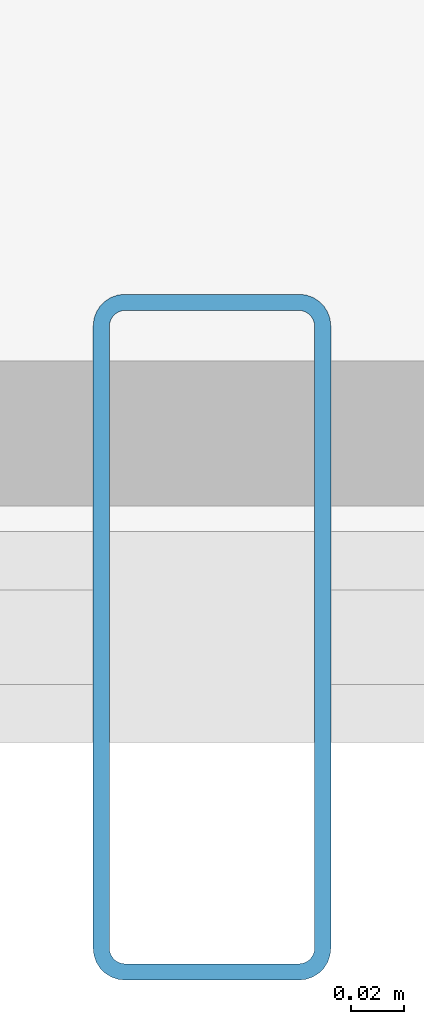
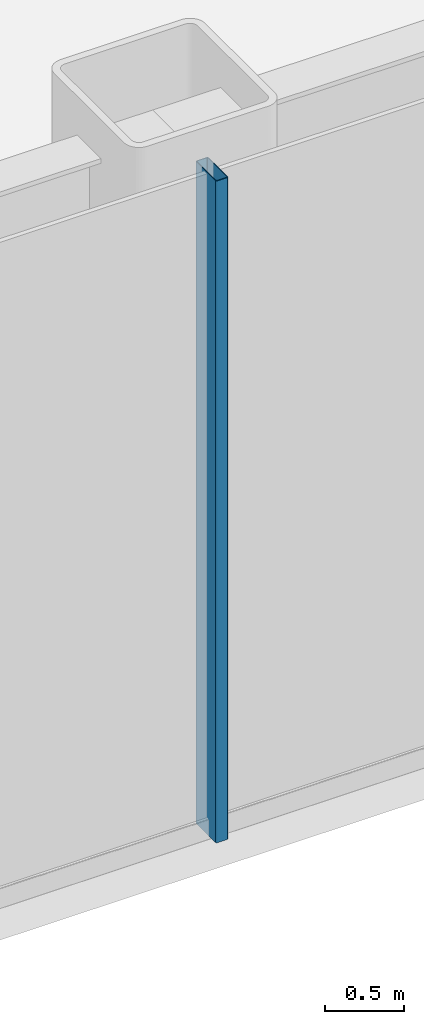
# One storey, part 6 of 24: 1 member, 1 element without a shape of its own.
"""IFC4 building model written with IfcOpenShell, lengths in metres."""

import ifcopenshell
import ifcopenshell.guid

model = None  # the IFC model being written
_history = None  # IfcOwnerHistory: only IFC2X3 demands one
_inside = {}  # id of a spatial element -> (the spatial element, [elements in it])
_under = {}  # id of a project, library or spatial element -> (it, [spatial elements below it])
_declared = {}  # id of a project -> (the project, [libraries it declares])
_typed = {}  # id of a type object -> (the type object, [elements of that type])
_made_of = {}  # id of a material, layer set ... -> (it, [elements and type objects made of it])


def new_model(schema):
    """Start an empty IFC model of exactly this schema.

    Asked for "IFC4X3", IfcOpenShell would pick the latest addendum, in which some entities
    have other attributes; the version numbers below select the first issue.
    IFC2X3 requires an IfcOwnerHistory on every rooted entity: one is made here for all.
    """
    global model, _history
    if schema == "IFC4X3":
        model = ifcopenshell.file(schema_version=(4, 3, 0, 0))
    else:
        model = ifcopenshell.file(schema=schema)
    _inside.clear()
    _under.clear()
    _declared.clear()
    _typed.clear()
    _made_of.clear()
    _history = None
    if model.schema == "IFC2X3":
        org = make("IfcOrganization", Name="unknown")
        user = make(
            "IfcPersonAndOrganization",
            ThePerson=make("IfcPerson", FamilyName="unknown"),
            TheOrganization=org,
        )
        app = make(
            "IfcApplication",
            ApplicationDeveloper=org,
            Version="unknown",
            ApplicationFullName="unknown",
            ApplicationIdentifier="unknown",
        )
        _history = make(
            "IfcOwnerHistory",
            OwningUser=user,
            OwningApplication=app,
            ChangeAction="ADDED",
            CreationDate=0,
        )
    return model


def make(cls, **values):
    """One entity of the class cls with the attributes given. An attribute that is None is left unset."""
    return model.create_entity(
        cls, **{name: value for name, value in values.items() if value is not None}
    )


def rooted(cls, **values):
    """An entity with a GlobalId (a new one), such as an element, a storey or a relation."""
    return make(cls, GlobalId=ifcopenshell.guid.new(), OwnerHistory=_history, **values)


def si_unit(unit_type, name, prefix=None):
    """IfcSIUnit, for example si_unit("LENGTHUNIT", "METRE", prefix="MILLI")."""
    return make("IfcSIUnit", UnitType=unit_type, Prefix=prefix, Name=name)


def assignment(units):
    """IfcUnitAssignment: the units of a project."""
    return None if units is None else make("IfcUnitAssignment", Units=units)


def point(xyz):
    """IfcCartesianPoint."""
    return None if xyz is None else make("IfcCartesianPoint", Coordinates=xyz)


def direction(xyz):
    """IfcDirection."""
    return None if xyz is None else make("IfcDirection", DirectionRatios=xyz)


def frame(location, z_axis=None, x_axis=None):
    """IfcAxis2Placement3D, a coordinate frame: its origin and axes. An axis left out is left unset."""
    return make(
        "IfcAxis2Placement3D",
        Location=point(location),
        Axis=direction(z_axis),
        RefDirection=direction(x_axis),
    )


def frame_2d(location, x_axis=None):
    """IfcAxis2Placement2D, a coordinate frame in the plane: its origin and x axis."""
    return make(
        "IfcAxis2Placement2D", Location=point(location), RefDirection=direction(x_axis)
    )


def origin():
    """The frame at (0, 0, 0) with its axes left unset."""
    return frame((0.0, 0.0, 0.0))


def origin_2d():
    """The frame at (0, 0) in the plane with its x axis left unset."""
    return frame_2d((0.0, 0.0))


def place(relative_to, where):
    """IfcLocalPlacement: puts the frame where relative to a parent placement (None: the world)."""
    return make(
        "IfcLocalPlacement", PlacementRelTo=relative_to, RelativePlacement=where
    )


def context(
    kind, dimensions, precision=None, world=None, true_north=None, identifier=None
):
    """IfcGeometricRepresentationContext, for example the 3D "Model" context."""
    return make(
        "IfcGeometricRepresentationContext",
        ContextIdentifier=identifier,
        ContextType=kind,
        CoordinateSpaceDimension=dimensions,
        Precision=precision,
        WorldCoordinateSystem=world,
        TrueNorth=true_north,
    )


def subcontext(parent, identifier, kind, view, scale=None):
    """IfcGeometricRepresentationSubContext, for example "Body" below "Model"."""
    return make(
        "IfcGeometricRepresentationSubContext",
        ContextIdentifier=identifier,
        ContextType=kind,
        ParentContext=parent,
        TargetScale=scale,
        TargetView=view,
    )


def project(units=None, contexts=None):
    """IfcProject with its units and contexts."""
    return rooted(
        "IfcProject",
        Name="project",
        RepresentationContexts=contexts,
        UnitsInContext=assignment(units),
    )


def spatial(cls, under=None, at=None, **own):
    """A site, building, storey or space (cls), placed at a placement, below another one or the project."""
    s = rooted(cls, ObjectPlacement=at, **own)
    if under is not None:
        _under.setdefault(under.id(), (under, []))[1].append(s)
    return s


def profile(cls, at=None, kind="AREA", **sizes):
    """A parametric profile (cls). Its sizes go by their IFC names, for example OverallWidth=200.0."""
    return make(cls, ProfileType=kind, Position=at, **sizes)


def hollow_rectangle(**sizes):
    """IfcRectangleHollowProfileDef."""
    return profile("IfcRectangleHollowProfileDef", **sizes)


def extrude(swept, where, along, depth):
    """IfcExtrudedAreaSolid: the profile swept, set in the frame where, extruded along a direction by depth."""
    return make(
        "IfcExtrudedAreaSolid",
        SweptArea=swept,
        Position=where,
        ExtrudedDirection=direction(along),
        Depth=depth,
    )


def shape(context_of_items, identifier, shape_type, items):
    """IfcShapeRepresentation: the items that make up one representation, for example the "Body"."""
    return make(
        "IfcShapeRepresentation",
        ContextOfItems=context_of_items,
        RepresentationIdentifier=identifier,
        RepresentationType=shape_type,
        Items=items,
    )


def source(mapping_origin, context_of_items, identifier, shape_type, items):
    """IfcRepresentationMap: a shape defined once, which mapped items show again and again."""
    return make(
        "IfcRepresentationMap",
        MappingOrigin=mapping_origin,
        MappedRepresentation=shape(context_of_items, identifier, shape_type, items),
    )


def transform(
    local_origin,
    x_axis=None,
    y_axis=None,
    z_axis=None,
    scale=None,
    scale2=None,
    scale3=None,
    uniform=True,
):
    """IfcCartesianTransformationOperator3D, or its non-uniform kind. x_axis, y_axis, z_axis: its Axis1, 2, 3."""
    if uniform:
        return make(
            "IfcCartesianTransformationOperator3D",
            Axis1=direction(x_axis),
            Axis2=direction(y_axis),
            LocalOrigin=point(local_origin),
            Scale=scale,
            Axis3=direction(z_axis),
        )
    return make(
        "IfcCartesianTransformationOperator3DnonUniform",
        Axis1=direction(x_axis),
        Axis2=direction(y_axis),
        LocalOrigin=point(local_origin),
        Scale=scale,
        Axis3=direction(z_axis),
        Scale2=scale2,
        Scale3=scale3,
    )


def mapped(mapping_source, mapping_target):
    """IfcMappedItem: shows the shape of a source again, moved by a transform."""
    return make(
        "IfcMappedItem", MappingSource=mapping_source, MappingTarget=mapping_target
    )


def material(Name=None, Category=None):
    """IfcMaterial."""
    return make("IfcMaterial", Name=Name, Category=Category)


def layer(
    of_material, thickness, ventilated=None, Name=None, Category=None, Priority=None
):
    """IfcMaterialLayer: one layer of a wall or slab, of a material (None: an air gap)."""
    return make(
        "IfcMaterialLayer",
        Material=of_material,
        LayerThickness=thickness,
        IsVentilated=ventilated,
        Name=Name,
        Category=Category,
        Priority=Priority,
    )


def layer_set(layers, Name=None):
    """IfcMaterialLayerSet."""
    return make("IfcMaterialLayerSet", MaterialLayers=layers, LayerSetName=Name)


def material_profile(
    of_material, cross_section, Name=None, Category=None, Priority=None
):
    """IfcMaterialProfile: a cross section and its material."""
    return make(
        "IfcMaterialProfile",
        Name=Name,
        Material=of_material,
        Profile=cross_section,
        Priority=Priority,
        Category=Category,
    )


def profile_set(profiles, Name=None, composite=None):
    """IfcMaterialProfileSet."""
    return make(
        "IfcMaterialProfileSet",
        Name=Name,
        MaterialProfiles=profiles,
        CompositeProfile=composite,
    )


def made_of(thing, what):
    """Note that an element or type object is made of a material, layer set ...; save() writes the relation."""
    if what is not None:
        _made_of.setdefault(what.id(), (what, []))[1].append(thing)
    return thing


def type_object(cls, material=None, **own):
    """A type object (cls), such as IfcWallType, which elements share."""
    return made_of(rooted(cls, **own), material)


def element(
    cls,
    number,
    at=None,
    inside=None,
    cuts=None,
    type_object=None,
    material=None,
    context=None,
    identifier="Body",
    shape_type=None,
    held_by="IfcProductDefinitionShape",
    body=None,
    shapes=None,
    **own,
):
    """One element of the class cls, such as IfcWall. Its Tag is "e" and its number.

    at: its placement. inside: the storey or other place that contains it. cuts: it is an
    opening in that element (IfcRelVoidsElement). A single representation is given by context,
    identifier, shape_type and body (its items); several are given by shapes. held_by: the class
    of the entity that holds the representations. save() writes the other relations.
    """
    e = rooted(cls, Tag="e%d" % number, ObjectPlacement=at, **own)
    if body is not None:
        shapes = [shape(context, identifier, shape_type, body)]
    if shapes is not None:
        e.Representation = make(held_by, Representations=shapes)
    if inside is not None:
        _inside.setdefault(inside.id(), (inside, []))[1].append(e)
    if cuts is not None:
        rooted(
            "IfcRelVoidsElement", RelatingBuildingElement=cuts, RelatedOpeningElement=e
        )
    if type_object is not None:
        _typed.setdefault(type_object.id(), (type_object, []))[1].append(e)
    return made_of(e, material)


def aggregate(whole, parts):
    """IfcRelAggregates: a whole, such as a stair, and the parts it consists of."""
    return rooted("IfcRelAggregates", RelatingObject=whole, RelatedObjects=parts)


def save(model, path):
    """Write the relations noted so far, then the file.

    IfcRelAggregates (storeys below a building ...), IfcRelContainedInSpatialStructure (elements
    in a storey), IfcRelDefinesByType, IfcRelAssociatesMaterial and IfcRelDeclares: one each for
    every whole, place, type object, material and project.
    """
    for whole, parts in _under.values():
        aggregate(whole, parts)
    for where, things in _inside.values():
        rooted(
            "IfcRelContainedInSpatialStructure",
            RelatedElements=things,
            RelatingStructure=where,
        )
    for kind, things in _typed.values():
        rooted("IfcRelDefinesByType", RelatedObjects=things, RelatingType=kind)
    for what, things in _made_of.values():
        rooted("IfcRelAssociatesMaterial", RelatedObjects=things, RelatingMaterial=what)
    for by, libraries in _declared.values():
        rooted("IfcRelDeclares", RelatingContext=by, RelatedDefinitions=libraries)
    model.write(path)


model = new_model("IFC4")

# Units and contexts
model_context = context("Model", 3, precision=1e-05, world=origin(), true_north=direction((0.0, 1.0)))
body_context = subcontext(model_context, "Body", "Model", "MODEL_VIEW")
ifc_project = project(units=[si_unit("LENGTHUNIT", "METRE"), si_unit("AREAUNIT", "SQUARE_METRE"), si_unit("VOLUMEUNIT", "CUBIC_METRE"), si_unit("PLANEANGLEUNIT", "RADIAN"), si_unit("MASSUNIT", "GRAM", prefix="KILO")], contexts=[model_context])

# Site, building, storey
site_placement = place(None, origin())
site = spatial("IfcSite", under=ifc_project, at=site_placement, CompositionType="ELEMENT")
building_placement = place(site_placement, origin())
building = spatial("IfcBuilding", under=site, at=building_placement, Name="Nefas-Gora Pilgrimage Tower", CompositionType="ELEMENT")
storey_placement = place(building_placement, frame((0.0, 0.0, 6.0)))
storey = spatial("IfcBuildingStorey", under=building, at=storey_placement, Name="L01", CompositionType="ELEMENT", Elevation=6.0)

# Curtain wall, member
ifc_material_1 = material(Name="Dark ceramic-fritted solar-control aluminium-glass curtain wall", Category="aluminium")
ifc_layer = layer(ifc_material_1, 0.219970703125)
ifc_layer_set = layer_set([ifc_layer], Name="Dark ceramic-fritted solar-control aluminium-glass curtain wall")
curtain_wall_type = type_object("IfcCurtainWallType", Name="CW-SYS-1", PredefinedType="NOTDEFINED", material=ifc_layer_set)
curtain_wall_placement = place(storey_placement, origin())
curtain_wall = element("IfcCurtainWall", 1, at=curtain_wall_placement, inside=storey, type_object=curtain_wall_type, Name="L01 Unitised Curtain Wall CW1", PredefinedType="NOTDEFINED")
ifc_material_2 = material(Name="Anodised architectural aluminium", Category="aluminium")
ifc_material_profile = material_profile(ifc_material_2, hollow_rectangle(XDim=0.090087890625, YDim=0.260009765625, WallThickness=0.006103515625, InnerFilletRadius=0.006103515625, OuterFilletRadius=0.011962890625, at=origin_2d()), Name="ALU MULLION 90x260")
ifc_profile_set = profile_set([ifc_material_profile], Name="Anodised architectural aluminium")
member_type = type_object("IfcMemberType", Name="CWM-MUL-1", PredefinedType="MULLION", material=ifc_profile_set)
shared_shape = source(origin(), body_context, "Body", "SweptSolid", [
    extrude(hollow_rectangle(XDim=0.090087890625, YDim=0.260009765625, WallThickness=0.006103515625, InnerFilletRadius=0.006103515625, OuterFilletRadius=0.011962890625, at=origin_2d()), origin(), (0.0, 0.0, 1.0), 5.10009765625),
])
member_placement = place(storey_placement, frame((0.0, -25.199951171875, 0.0), z_axis=(0.0, 0.0, 1.0), x_axis=(1.0, 0.0, 0.0)))
member = element("IfcMember", 2, at=member_placement, type_object=member_type, Name="CW1 Mullion 2", PredefinedType="MULLION", context=body_context, shape_type="MappedRepresentation", body=[
    mapped(shared_shape, transform((0.0, 0.0, 0.0), x_axis=(1.0, 0.0, 0.0), y_axis=(0.0, 1.0, 0.0), z_axis=(0.0, 0.0, 1.0), scale=1.0)),
])
aggregate(curtain_wall, [member])

save(model, "model.ifc")
